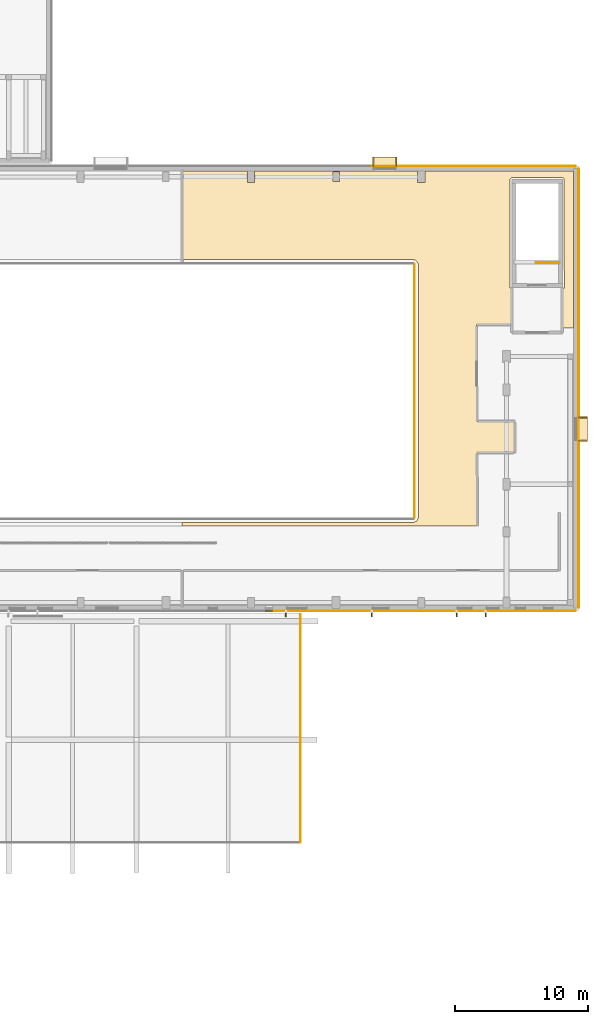
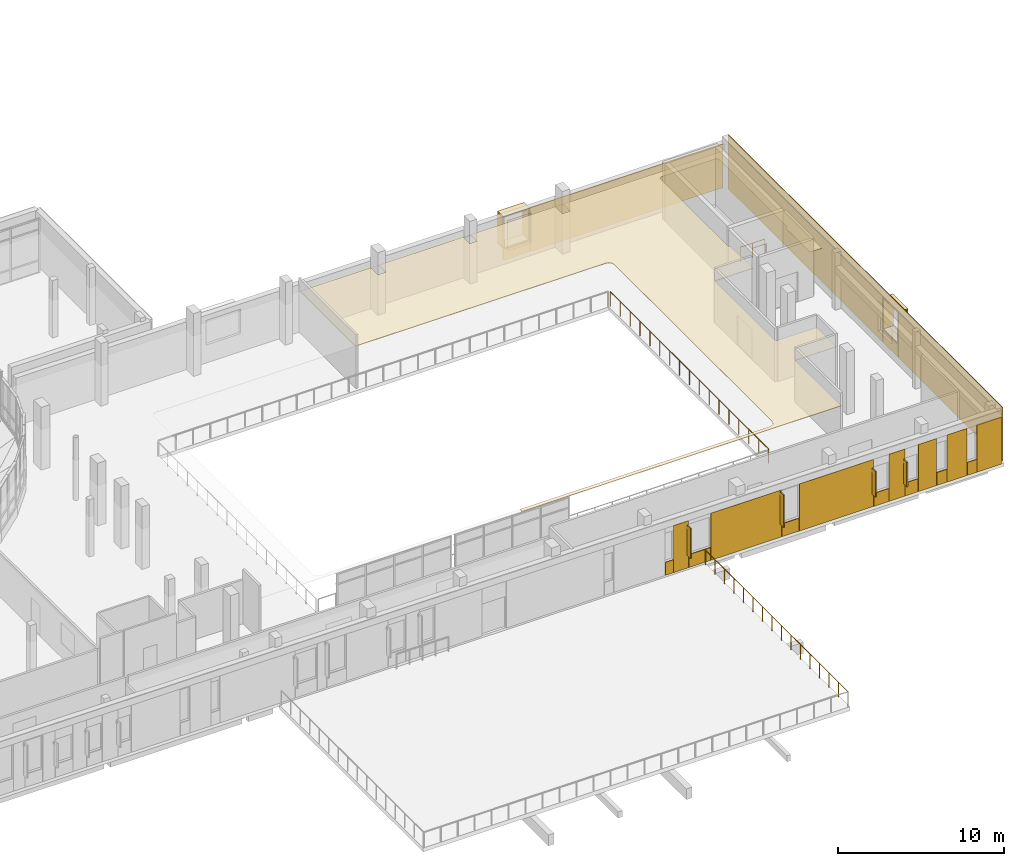
# One storey, part 73 of 73: 29 coverings, 4 shading devices, 3 railings.
"""IFC4 building model written with IfcOpenShell, lengths in metres."""

from ifc_helpers import new_model, si_unit, direction, frame, origin, origin_2d, place, context, subcontext, project, spatial, polyline, rectangle, circle, outline, extrude, material, layer, layer_set, type_object, element, save


model = new_model("IFC4")

# Units and contexts
model_context = context("Model", 3, precision=1e-05, world=origin(), true_north=direction((0.0, 1.0)))
body_context = subcontext(model_context, "Body", "Model", "MODEL_VIEW")
ifc_project = project(units=[si_unit("LENGTHUNIT", "METRE"), si_unit("AREAUNIT", "SQUARE_METRE"), si_unit("VOLUMEUNIT", "CUBIC_METRE"), si_unit("PLANEANGLEUNIT", "RADIAN"), si_unit("MASSUNIT", "GRAM", prefix="KILO")], contexts=[model_context])

# Site, building, storey
site_placement = place(None, origin())
site = spatial("IfcSite", under=ifc_project, at=site_placement, CompositionType="ELEMENT")
building_placement = place(site_placement, origin())
building = spatial("IfcBuilding", under=site, at=building_placement, Name="Mzevani Central Library", CompositionType="ELEMENT")
storey_placement = place(building_placement, frame((0.0, 0.0, 9.60009765625)))
storey = spatial("IfcBuildingStorey", under=building, at=storey_placement, Name="L02", CompositionType="ELEMENT", Elevation=9.60009765625)

# Shading devices
ifc_material_1 = material(Name="Anodized architectural bronze")
shading_device_type = type_object("IfcShadingDeviceType", Name="Anodized Bronze Vertical Sun-Breaker Fin", PredefinedType="USERDEFINED", material=ifc_material_1)
shading_device_1_placement = place(storey_placement, frame((157.429931640625, 42.27490234375, 0.94970703125), z_axis=(0.0, 0.0, 1.0), x_axis=(-1.0, 0.0, 0.0)))
element("IfcShadingDevice", 1, at=shading_device_1_placement, inside=storey, type_object=shading_device_type, Name="L02 V1 Solar Fin (83)", ObjectType="SOLAR FIN", PredefinedType="USERDEFINED", context=body_context, shape_type="SweptSolid", body=[
    extrude(rectangle(XDim=0.080078125, YDim=0.449951171875, at=origin_2d()), origin(), (0.0, 0.0, 1.0), 1.800048828125),
])
shading_device_2_placement = place(storey_placement, frame((155.2548828125, 42.27490234375, 0.949951171875), z_axis=(0.0, 0.0, 1.0), x_axis=(-1.0, 0.0, 0.0)))
element("IfcShadingDevice", 2, at=shading_device_2_placement, inside=storey, type_object=shading_device_type, Name="L02 V1 Solar Fin (84)", ObjectType="SOLAR FIN", PredefinedType="USERDEFINED", context=body_context, shape_type="SweptSolid", body=[
    extrude(rectangle(XDim=0.080078125, YDim=0.449951171875, at=origin_2d()), origin(), (0.0, 0.0, 1.0), 1.89990234375),
])
shading_device_3_placement = place(storey_placement, frame((148.8798828125, 42.27490234375, 0.949951171875), z_axis=(0.0, 0.0, 1.0), x_axis=(-1.0, 0.0, 0.0)))
element("IfcShadingDevice", 3, at=shading_device_3_placement, inside=storey, type_object=shading_device_type, Name="L02 V1 Solar Fin (85)", ObjectType="SOLAR FIN", PredefinedType="USERDEFINED", context=body_context, shape_type="SweptSolid", body=[
    extrude(rectangle(XDim=0.080078125, YDim=0.449951171875, at=origin_2d()), origin(), (0.0, 0.0, 1.0), 2.39990234375),
])
shading_device_4_placement = place(storey_placement, frame((142.429931640625, 42.27490234375, 0.94970703125), z_axis=(0.0, 0.0, 1.0), x_axis=(-1.0, 0.0, 0.0)))
element("IfcShadingDevice", 4, at=shading_device_4_placement, inside=storey, type_object=shading_device_type, Name="L02 V1 Solar Fin (86)", ObjectType="SOLAR FIN", PredefinedType="USERDEFINED", context=body_context, shape_type="SweptSolid", body=[
    extrude(rectangle(XDim=0.080078125, YDim=0.449951171875, at=origin_2d()), origin(), (0.0, 0.0, 1.0), 2.199951171875),
])

# Railings
ifc_material_2 = material(Name="Brushed stainless steel rail", Category="steel")
railing_type_1 = type_object("IfcRailingType", Name="Interior Gallery and Stair Guard 1100", PredefinedType="BALUSTRADE", material=ifc_material_2)
railing_1_placement = place(storey_placement, frame((152.10009765625, 68.5, 0.0)))
element("IfcRailing", 5, at=railing_1_placement, inside=storey, type_object=railing_type_1, Name="L02 V1 Double-Height Void Guard 8", PredefinedType="BALUSTRADE", context=body_context, shape_type="SweptSolid", body=[
    extrude(circle(Radius=0.02392578125, at=origin_2d()), frame((0.0, 0.0, 1.076171875), z_axis=(0.0, -1.0, 0.0), x_axis=(1.0, 0.0, 0.0)), (0.0, 0.0, 1.0), 19.0),
    extrude(circle(Radius=0.02099609375, at=origin_2d()), origin(), (0.0, 0.0, 1.0), 1.052001953125),
    extrude(circle(Radius=0.02099609375, at=origin_2d()), frame((0.0, -1.1875, 0.0)), (0.0, 0.0, 1.0), 1.052001953125),
    extrude(circle(Radius=0.02099609375, at=origin_2d()), frame((0.0, -2.375, 0.0)), (0.0, 0.0, 1.0), 1.052001953125),
    extrude(circle(Radius=0.02099609375, at=origin_2d()), frame((0.0, -3.5625, 0.0)), (0.0, 0.0, 1.0), 1.052001953125),
    extrude(circle(Radius=0.02099609375, at=origin_2d()), frame((0.0, -4.75, 0.0)), (0.0, 0.0, 1.0), 1.052001953125),
    extrude(circle(Radius=0.02099609375, at=origin_2d()), frame((0.0, -5.9375, 0.0)), (0.0, 0.0, 1.0), 1.052001953125),
    extrude(circle(Radius=0.02099609375, at=origin_2d()), frame((0.0, -7.125, 0.0)), (0.0, 0.0, 1.0), 1.052001953125),
    extrude(circle(Radius=0.02099609375, at=origin_2d()), frame((0.0, -8.3125, 0.0)), (0.0, 0.0, 1.0), 1.052001953125),
    extrude(circle(Radius=0.02099609375, at=origin_2d()), frame((0.0, -9.5, 0.0)), (0.0, 0.0, 1.0), 1.052001953125),
    extrude(circle(Radius=0.02099609375, at=origin_2d()), frame((0.0, -10.6875, 0.0)), (0.0, 0.0, 1.0), 1.052001953125),
    extrude(circle(Radius=0.02099609375, at=origin_2d()), frame((0.0, -11.875, 0.0)), (0.0, 0.0, 1.0), 1.052001953125),
    extrude(circle(Radius=0.02099609375, at=origin_2d()), frame((0.0, -13.0625, 0.0)), (0.0, 0.0, 1.0), 1.052001953125),
    extrude(circle(Radius=0.02099609375, at=origin_2d()), frame((0.0, -14.25, 0.0)), (0.0, 0.0, 1.0), 1.052001953125),
    extrude(circle(Radius=0.02099609375, at=origin_2d()), frame((0.0, -15.4375, 0.0)), (0.0, 0.0, 1.0), 1.052001953125),
    extrude(circle(Radius=0.02099609375, at=origin_2d()), frame((0.0, -16.625, 0.0)), (0.0, 0.0, 1.0), 1.052001953125),
    extrude(circle(Radius=0.02099609375, at=origin_2d()), frame((0.0, -17.8125, 0.0)), (0.0, 0.0, 1.0), 1.052001953125),
    extrude(circle(Radius=0.02099609375, at=origin_2d()), frame((0.0, -19.0, 0.0)), (0.0, 0.0, 1.0), 1.052001953125),
])
railing_2_placement = place(storey_placement, frame((162.89990234375, 68.64990234375, 0.0)))
element("IfcRailing", 6, at=railing_2_placement, inside=storey, type_object=railing_type_1, Name="L02 ST-02 top well guard 1", PredefinedType="BALUSTRADE", context=body_context, shape_type="SweptSolid", body=[
    extrude(circle(Radius=0.02392578125, at=origin_2d()), frame((0.0, 0.0, 1.076171875), z_axis=(-1.0, 0.0, 0.0), x_axis=(0.0, -1.0, 0.0)), (0.0, 0.0, 1.0), 1.699951171875),
    extrude(circle(Radius=0.02099609375, at=origin_2d()), origin(), (0.0, 0.0, 1.0), 1.052001953125),
    extrude(circle(Radius=0.02099609375, at=origin_2d()), frame((-0.85009765625, 0.0, 0.0)), (0.0, 0.0, 1.0), 1.052001953125),
    extrude(circle(Radius=0.02099609375, at=origin_2d()), frame((-1.699951171875, 0.0, 0.0)), (0.0, 0.0, 1.0), 1.052001953125),
])

# Coverings
ifc_material_3 = material(Name="Limestone ashlar cladding", Category="masonry")
ifc_layer_1 = layer(ifc_material_3, 0.050048828125, Name="Limestone Ashlar Spandrel Cladding")
ifc_layer_set_1 = layer_set([ifc_layer_1], Name="Limestone ashlar cladding")
covering_type_1 = type_object("IfcCoveringType", Name="Limestone Ashlar Spandrel Cladding", PredefinedType="CLADDING", material=ifc_layer_set_1)
covering_1_placement = place(storey_placement, frame((163.347412109375, 42.47607421875, 0.0), z_axis=(0.0, 0.0, 1.0), x_axis=(-1.0, 0.0, 0.0)))
element("IfcCovering", 7, at=covering_1_placement, inside=storey, type_object=covering_type_1, Name="L02 Warm-White Facade Pier 1 (EW4-V1-L02-0011)", PredefinedType="CLADDING", context=body_context, shape_type="SweptSolid", body=[
    extrude(rectangle(XDim=1.68505859375, YDim=0.050048828125, at=origin_2d()), origin(), (0.0, 0.0, 1.0), 3.449951171875),
])
covering_2_placement = place(storey_placement, frame((162.159912109375, 42.47607421875, 0.0), z_axis=(0.0, 0.0, 1.0), x_axis=(-1.0, 0.0, 0.0)))
element("IfcCovering", 8, at=covering_2_placement, inside=storey, type_object=covering_type_1, Name="L02 Warm-White Sill Cladding 2 (EW4-V1-L02-0011)", PredefinedType="CLADDING", context=body_context, shape_type="SweptSolid", body=[
    extrude(rectangle(XDim=0.64990234375, YDim=0.050048828125, at=origin_2d()), origin(), (0.0, 0.0, 1.0), 0.949951171875),
])
covering_3_placement = place(storey_placement, frame((161.12255859375, 42.47607421875, 0.0), z_axis=(0.0, 0.0, 1.0), x_axis=(-1.0, 0.0, 0.0)))
element("IfcCovering", 9, at=covering_3_placement, inside=storey, type_object=covering_type_1, Name="L02 Warm-White Facade Pier 3 (EW4-V1-L02-0011)", PredefinedType="CLADDING", context=body_context, shape_type="SweptSolid", body=[
    extrude(rectangle(XDim=1.385009765625, YDim=0.050048828125, at=origin_2d()), origin(), (0.0, 0.0, 1.0), 3.449951171875),
])
covering_4_placement = place(storey_placement, frame((160.06005859375, 42.47607421875, 0.0), z_axis=(0.0, 0.0, 1.0), x_axis=(-1.0, 0.0, 0.0)))
element("IfcCovering", 10, at=covering_4_placement, inside=storey, type_object=covering_type_1, Name="L02 Warm-White Sill Cladding 4 (EW4-V1-L02-0011)", PredefinedType="CLADDING", context=body_context, shape_type="SweptSolid", body=[
    extrude(rectangle(XDim=0.699951171875, YDim=0.050048828125, at=origin_2d()), origin(), (0.0, 0.0, 1.0), 0.949951171875),
])
covering_5_placement = place(storey_placement, frame((159.06005859375, 42.47607421875, 0.0), z_axis=(0.0, 0.0, 1.0), x_axis=(-1.0, 0.0, 0.0)))
element("IfcCovering", 11, at=covering_5_placement, inside=storey, type_object=covering_type_1, Name="L02 Warm-White Facade Pier 5 (EW4-V1-L02-0011)", PredefinedType="CLADDING", context=body_context, shape_type="SweptSolid", body=[
    extrude(rectangle(XDim=1.260009765625, YDim=0.050048828125, at=origin_2d()), origin(), (0.0, 0.0, 1.0), 3.449951171875),
])
covering_6_placement = place(storey_placement, frame((157.9599609375, 42.47607421875, 0.0), z_axis=(0.0, 0.0, 1.0), x_axis=(-1.0, 0.0, 0.0)))
element("IfcCovering", 12, at=covering_6_placement, inside=storey, type_object=covering_type_1, Name="L02 Warm-White Sill Cladding 6 (EW4-V1-L02-0011)", PredefinedType="CLADDING", context=body_context, shape_type="SweptSolid", body=[
    extrude(rectangle(XDim=0.89990234375, YDim=0.050048828125, at=origin_2d()), origin(), (0.0, 0.0, 1.0), 0.949951171875),
])
covering_7_placement = place(storey_placement, frame((156.947509765625, 42.47607421875, 0.0), z_axis=(0.0, 0.0, 1.0), x_axis=(-1.0, 0.0, 0.0)))
element("IfcCovering", 13, at=covering_7_placement, inside=storey, type_object=covering_type_1, Name="L02 Warm-White Facade Pier 7 (EW4-V1-L02-0011)", PredefinedType="CLADDING", context=body_context, shape_type="SweptSolid", body=[
    extrude(rectangle(XDim=1.0849609375, YDim=0.050048828125, at=origin_2d()), origin(), (0.0, 0.0, 1.0), 3.449951171875),
])
covering_8_placement = place(storey_placement, frame((155.860107421875, 42.47607421875, 0.0), z_axis=(0.0, 0.0, 1.0), x_axis=(-1.0, 0.0, 0.0)))
element("IfcCovering", 14, at=covering_8_placement, inside=storey, type_object=covering_type_1, Name="L02 Warm-White Sill Cladding 8 (EW4-V1-L02-0011)", PredefinedType="CLADDING", context=body_context, shape_type="SweptSolid", body=[
    extrude(rectangle(XDim=1.050048828125, YDim=0.050048828125, at=origin_2d()), origin(), (0.0, 0.0, 1.0), 0.949951171875),
])
covering_9_placement = place(storey_placement, frame((152.74755859375, 42.47607421875, 0.0), z_axis=(0.0, 0.0, 1.0), x_axis=(-1.0, 0.0, 0.0)))
element("IfcCovering", 15, at=covering_9_placement, inside=storey, type_object=covering_type_1, Name="L02 Warm-White Facade Pier 9 (EW4-V1-L02-0011)", PredefinedType="CLADDING", context=body_context, shape_type="SweptSolid", body=[
    extrude(rectangle(XDim=5.135009765625, YDim=0.050048828125, at=origin_2d()), origin(), (0.0, 0.0, 1.0), 3.449951171875),
])
covering_10_placement = place(storey_placement, frame((149.56005859375, 42.47607421875, 0.0), z_axis=(0.0, 0.0, 1.0), x_axis=(-1.0, 0.0, 0.0)))
element("IfcCovering", 16, at=covering_10_placement, inside=storey, type_object=covering_type_1, Name="L02 Warm-White Sill Cladding 10 (EW4-V1-L02-0011)", PredefinedType="CLADDING", context=body_context, shape_type="SweptSolid", body=[
    extrude(rectangle(XDim=1.199951171875, YDim=0.050048828125, at=origin_2d()), origin(), (0.0, 0.0, 1.0), 0.949951171875),
])
covering_11_placement = place(storey_placement, frame((146.485107421875, 42.47607421875, 0.0), z_axis=(0.0, 0.0, 1.0), x_axis=(-1.0, 0.0, 0.0)))
element("IfcCovering", 17, at=covering_11_placement, inside=storey, type_object=covering_type_1, Name="L02 Warm-White Facade Pier 11 (EW4-V1-L02-0011)", PredefinedType="CLADDING", context=body_context, shape_type="SweptSolid", body=[
    extrude(rectangle(XDim=4.909912109375, YDim=0.050048828125, at=origin_2d()), origin(), (0.0, 0.0, 1.0), 3.449951171875),
])
covering_12_placement = place(storey_placement, frame((143.260009765625, 42.47607421875, 0.0), z_axis=(0.0, 0.0, 1.0), x_axis=(-1.0, 0.0, 0.0)))
element("IfcCovering", 18, at=covering_12_placement, inside=storey, type_object=covering_type_1, Name="L02 Warm-White Sill Cladding 12 (EW4-V1-L02-0011)", PredefinedType="CLADDING", context=body_context, shape_type="SweptSolid", body=[
    extrude(rectangle(XDim=1.5, YDim=0.050048828125, at=origin_2d()), origin(), (0.0, 0.0, 1.0), 0.949951171875),
])
covering_13_placement = place(storey_placement, frame((141.972412109375, 42.47607421875, 0.0), z_axis=(0.0, 0.0, 1.0), x_axis=(-1.0, 0.0, 0.0)))
element("IfcCovering", 19, at=covering_13_placement, inside=storey, type_object=covering_type_1, Name="L02 Warm-White Facade Pier 13 (EW4-V1-L02-0011)", PredefinedType="CLADDING", context=body_context, shape_type="SweptSolid", body=[
    extrude(rectangle(XDim=1.034912109375, YDim=0.050048828125, at=origin_2d()), origin(), (0.0, 0.0, 1.0), 3.449951171875),
])
covering_14_placement = place(storey_placement, frame((141.159912109375, 42.47607421875, 0.0), z_axis=(0.0, 0.0, 1.0), x_axis=(-1.0, 0.0, 0.0)))
element("IfcCovering", 20, at=covering_14_placement, inside=storey, type_object=covering_type_1, Name="L02 Warm-White Sill Cladding 14 (EW4-V1-L02-0011)", PredefinedType="CLADDING", context=body_context, shape_type="SweptSolid", body=[
    extrude(rectangle(XDim=0.550048828125, YDim=0.050048828125, at=origin_2d()), origin(), (0.0, 0.0, 1.0), 0.949951171875),
])
for number, where, z_axis, x_axis, name in (
    (21, (149.852294921875, 76.238037109375, 3.11962890625), (0.0, 0.0, 1.0), (1.0, 0.0, 0.0), "L02 Deep Window Reveal HD (REV4-0119)"),
    (22, (149.852294921875, 76.238037109375, 0.830078125), (0.0, 0.0, 1.0), (1.0, 0.0, 0.0), "L02 Deep Window Reveal SL (REV4-0119)"),
):
    element("IfcCovering", number, at=place(storey_placement, frame(where, z_axis=z_axis, x_axis=x_axis)), inside=storey, type_object=covering_type_1, Name=name, PredefinedType="CLADDING", context=body_context, shape_type="SweptSolid", body=[
        extrude(rectangle(XDim=1.830078125, YDim=0.679931640625, at=origin_2d()), origin(), (0.0, 0.0, 1.0), 0.090087890625),
    ])
for number, where, z_axis, x_axis, name in (
    (23, (148.982421875, 76.238037109375, 0.919921875), (0.0, 0.0, 1.0), (1.0, 0.0, 0.0), "L02 Deep Window Reveal JL (REV4-0119)"),
    (24, (150.722412109375, 76.238037109375, 0.919921875), (0.0, 0.0, 1.0), (1.0, 0.0, 0.0), "L02 Deep Window Reveal JR (REV4-0119)"),
):
    element("IfcCovering", number, at=place(storey_placement, frame(where, z_axis=z_axis, x_axis=x_axis)), inside=storey, type_object=covering_type_1, Name=name, PredefinedType="CLADDING", context=body_context, shape_type="SweptSolid", body=[
        extrude(rectangle(XDim=0.090087890625, YDim=0.679931640625, at=origin_2d()), origin(), (0.0, 0.0, 1.0), 2.199951171875),
    ])
covering_15_placement = place(storey_placement, frame((149.852294921875, 75.924072265625, 0.0), z_axis=(0.0, 0.0, 1.0), x_axis=(1.0, 0.0, 0.0)))
element("IfcCovering", 25, at=covering_15_placement, inside=storey, type_object=covering_type_1, Name="L02 Warm-White Sill Cladding 4 (EW4-V1-L02-0014)", PredefinedType="CLADDING", context=body_context, shape_type="SweptSolid", body=[
    extrude(rectangle(XDim=1.85009765625, YDim=0.050048828125, at=origin_2d()), origin(), (0.0, 0.0, 1.0), 0.820068359375),
])
covering_16_placement = place(storey_placement, frame((157.49365234375, 75.924072265625, 0.0), z_axis=(0.0, 0.0, 1.0), x_axis=(1.0, 0.0, 0.0)))
element("IfcCovering", 26, at=covering_16_placement, inside=storey, type_object=covering_type_1, Name="L02 Warm-White Facade Pier 5 (EW4-V1-L02-0014)", PredefinedType="CLADDING", context=body_context, shape_type="SweptSolid", body=[
    extrude(rectangle(XDim=13.392578125, YDim=0.050048828125, at=origin_2d()), origin(), (0.0, 0.0, 1.0), 3.219970703125),
])
for number, where, z_axis, x_axis, name in (
    (27, (164.738037109375, 56.1396484375, 3.25), (0.0, 0.0, 1.0), (0.0, -1.0, 0.0), "L02 Deep Window Reveal HD (REV4-0120)"),
    (28, (164.738037109375, 56.1396484375, 0.9599609375), (0.0, 0.0, 1.0), (0.0, -1.0, 0.0), "L02 Deep Window Reveal SL (REV4-0120)"),
):
    element("IfcCovering", number, at=place(storey_placement, frame(where, z_axis=z_axis, x_axis=x_axis)), inside=storey, type_object=covering_type_1, Name=name, PredefinedType="CLADDING", context=body_context, shape_type="SweptSolid", body=[
        extrude(rectangle(XDim=1.830078125, YDim=0.679931640625, at=origin_2d()), origin(), (0.0, 0.0, 1.0), 0.090087890625),
    ])
for number, where, z_axis, x_axis, name in (
    (29, (164.738037109375, 57.009521484375, 1.0498046875), (0.0, 0.0, 1.0), (0.0, -1.0, 0.0), "L02 Deep Window Reveal JL (REV4-0120)"),
    (30, (164.738037109375, 55.26953125, 1.0498046875), (0.0, 0.0, 1.0), (0.0, -1.0, 0.0), "L02 Deep Window Reveal JR (REV4-0120)"),
):
    element("IfcCovering", number, at=place(storey_placement, frame(where, z_axis=z_axis, x_axis=x_axis)), inside=storey, type_object=covering_type_1, Name=name, PredefinedType="CLADDING", context=body_context, shape_type="SweptSolid", body=[
        extrude(rectangle(XDim=0.090087890625, YDim=0.679931640625, at=origin_2d()), origin(), (0.0, 0.0, 1.0), 2.199951171875),
    ])
covering_17_placement = place(storey_placement, frame((164.424072265625, 59.199951171875, 3.35009765625), z_axis=(0.0, 0.0, 1.0), x_axis=(0.0, -1.0, 0.0)))
element("IfcCovering", 31, at=covering_17_placement, inside=storey, type_object=covering_type_1, Name="L02 Warm-White Facade Spandrel (EW4-V1-L02-0015)", PredefinedType="CLADDING", context=body_context, shape_type="SweptSolid", body=[
    extrude(rectangle(XDim=32.97998046875, YDim=0.050048828125, at=origin_2d()), origin(), (0.0, 0.0, 1.0), 0.590087890625),
])
covering_18_placement = place(storey_placement, frame((164.424072265625, 66.38720703125, -0.000244140625), z_axis=(0.0, 0.0, 1.0), x_axis=(0.0, -1.0, 0.0)))
element("IfcCovering", 32, at=covering_18_placement, inside=storey, type_object=covering_type_1, Name="L02 Warm-White Facade Pier 1 (EW4-V1-L02-0015)", PredefinedType="CLADDING", context=body_context, shape_type="SweptSolid", body=[
    extrude(rectangle(XDim=18.60546875, YDim=0.050048828125, at=origin_2d()), origin(), (0.0, 0.0, 1.0), 3.35009765625),
])
covering_19_placement = place(storey_placement, frame((164.424072265625, 56.1396484375, 0.0), z_axis=(0.0, 0.0, 1.0), x_axis=(0.0, -1.0, 0.0)))
element("IfcCovering", 33, at=covering_19_placement, inside=storey, type_object=covering_type_1, Name="L02 Warm-White Sill Cladding 2 (EW4-V1-L02-0015)", PredefinedType="CLADDING", context=body_context, shape_type="SweptSolid", body=[
    extrude(rectangle(XDim=1.85009765625, YDim=0.050048828125, at=origin_2d()), origin(), (0.0, 0.0, 1.0), 0.949951171875),
])
covering_20_placement = place(storey_placement, frame((164.424072265625, 48.952392578125, -0.000244140625), z_axis=(0.0, 0.0, 1.0), x_axis=(0.0, -1.0, 0.0)))
element("IfcCovering", 34, at=covering_20_placement, inside=storey, type_object=covering_type_1, Name="L02 Warm-White Facade Pier 3 (EW4-V1-L02-0015)", PredefinedType="CLADDING", context=body_context, shape_type="SweptSolid", body=[
    extrude(rectangle(XDim=12.484619140625, YDim=0.050048828125, at=origin_2d()), origin(), (0.0, 0.0, 1.0), 3.35009765625),
])
ifc_material_4 = material(Name="Mineral wool acoustic ceiling")
ifc_layer_2 = layer(ifc_material_4, 0.0400390625, Name="Perforated Timber Acoustic Ceiling")
ifc_layer_set_2 = layer_set([ifc_layer_2], Name="Mineral wool acoustic ceiling")
covering_type_2 = type_object("IfcCoveringType", Name="Perforated Timber Acoustic Ceiling", PredefinedType="CEILING", material=ifc_layer_set_2)
covering_21_placement = place(storey_placement, frame((0.0, 0.0, 2.949951171875)))
element("IfcCovering", 35, at=covering_21_placement, inside=storey, type_object=covering_type_2, Name="L02 Art and Architecture Folio Salon 3 Acoustic Ceiling", PredefinedType="CEILING", context=body_context, shape_type="SweptSolid", body=[
    extrude(outline(polyline([(164.02001953125, 75.530029296875), (164.02099609375, 63.739990234375), (163.18994140625, 63.7490234375), (163.18994140625, 66.64990234375), (163.29833984375, 66.70166015625), (163.340087890625, 66.802001953125), (163.32861328125, 74.951904296875), (163.197021484375, 75.0400390625), (159.4033203125, 75.0400390625), (159.2666015625, 74.9384765625), (159.260009765625, 66.802001953125), (159.301513671875, 66.70166015625), (159.409912109375, 66.65087890625), (159.409912109375, 63.9990234375), (156.760009765625, 63.989990234375), (156.784912109375, 56.735107421875), (159.626220703125, 56.732666015625), (159.6298828125, 54.3740234375), (156.784912109375, 54.364990234375), (156.806396484375, 48.872314453125), (134.6279296875, 48.872802734375), (134.635009765625, 49.1298828125), (151.998046875, 49.1298828125), (152.260986328125, 49.239013671875), (152.3701171875, 49.501953125), (152.3701171875, 68.49853515625), (152.30712890625, 68.70556640625), (152.17431640625, 68.825927734375), (151.998779296875, 68.8701171875), (134.631103515625, 68.870849609375), (134.6279296875, 75.527099609375), (164.02001953125, 75.530029296875)]), holes=[polyline([(139.52490234375, 74.675048828125), (140.074951171875, 74.675048828125), (140.074951171875, 75.52490234375), (139.52490234375, 75.52490234375), (139.52490234375, 74.675048828125)]), polyline([(145.949951171875, 75.449951171875), (145.949951171875, 74.75), (146.449951171875, 74.75), (146.449951171875, 75.449951171875), (145.949951171875, 75.449951171875)]), polyline([(152.875, 75.52490234375), (152.324951171875, 75.52490234375), (152.324951171875, 74.675048828125), (152.875, 74.675048828125), (152.875, 75.52490234375)])]), origin(), (0.0, 0.0, 1.0), 0.0400390625),
])

# Railing
railing_type_2 = type_object("IfcRailingType", Name="Terrace and Court Balustrade 1100", PredefinedType="BALUSTRADE", material=ifc_material_1)
railing_3_placement = place(storey_placement, frame((143.52001953125, 42.199951171875, 0.0)))
element("IfcRailing", 36, at=railing_3_placement, inside=storey, type_object=railing_type_2, Name="L02 East Pavilion Planted Roof Garden Perimeter Balustrade 2", PredefinedType="BALUSTRADE", context=body_context, shape_type="SweptSolid", body=[
    extrude(circle(Radius=0.02392578125, at=origin_2d()), frame((0.0, 0.0, 1.076171875), z_axis=(0.0, -1.0, 0.0), x_axis=(1.0, 0.0, 0.0)), (0.0, 0.0, 1.0), 17.119873046875),
    extrude(circle(Radius=0.02099609375, at=origin_2d()), origin(), (0.0, 0.0, 1.0), 1.052001953125),
    extrude(circle(Radius=0.02099609375, at=origin_2d()), frame((0.0, -1.141357421875, 0.0)), (0.0, 0.0, 1.0), 1.052001953125),
    extrude(circle(Radius=0.02099609375, at=origin_2d()), frame((0.0, -2.28271484375, 0.0)), (0.0, 0.0, 1.0), 1.052001953125),
    extrude(circle(Radius=0.02099609375, at=origin_2d()), frame((0.0, -3.424072265625, 0.0)), (0.0, 0.0, 1.0), 1.052001953125),
    extrude(circle(Radius=0.02099609375, at=origin_2d()), frame((0.0, -4.565185546875, 0.0)), (0.0, 0.0, 1.0), 1.052001953125),
    extrude(circle(Radius=0.02099609375, at=origin_2d()), frame((0.0, -5.70654296875, 0.0)), (0.0, 0.0, 1.0), 1.052001953125),
    extrude(circle(Radius=0.02099609375, at=origin_2d()), frame((0.0, -6.847900390625, 0.0)), (0.0, 0.0, 1.0), 1.052001953125),
    extrude(circle(Radius=0.02099609375, at=origin_2d()), frame((0.0, -7.9892578125, 0.0)), (0.0, 0.0, 1.0), 1.052001953125),
    extrude(circle(Radius=0.02099609375, at=origin_2d()), frame((0.0, -9.130615234375, 0.0)), (0.0, 0.0, 1.0), 1.052001953125),
    extrude(circle(Radius=0.02099609375, at=origin_2d()), frame((0.0, -10.27197265625, 0.0)), (0.0, 0.0, 1.0), 1.052001953125),
    extrude(circle(Radius=0.02099609375, at=origin_2d()), frame((0.0, -11.413330078125, 0.0)), (0.0, 0.0, 1.0), 1.052001953125),
    extrude(circle(Radius=0.02099609375, at=origin_2d()), frame((0.0, -12.5546875, 0.0)), (0.0, 0.0, 1.0), 1.052001953125),
    extrude(circle(Radius=0.02099609375, at=origin_2d()), frame((0.0, -13.69580078125, 0.0)), (0.0, 0.0, 1.0), 1.052001953125),
    extrude(circle(Radius=0.02099609375, at=origin_2d()), frame((0.0, -14.837158203125, 0.0)), (0.0, 0.0, 1.0), 1.052001953125),
    extrude(circle(Radius=0.02099609375, at=origin_2d()), frame((0.0, -15.978515625, 0.0)), (0.0, 0.0, 1.0), 1.052001953125),
    extrude(circle(Radius=0.02099609375, at=origin_2d()), frame((0.0, -17.119873046875, 0.0)), (0.0, 0.0, 1.0), 1.052001953125),
])

save(model, "model.ifc")
